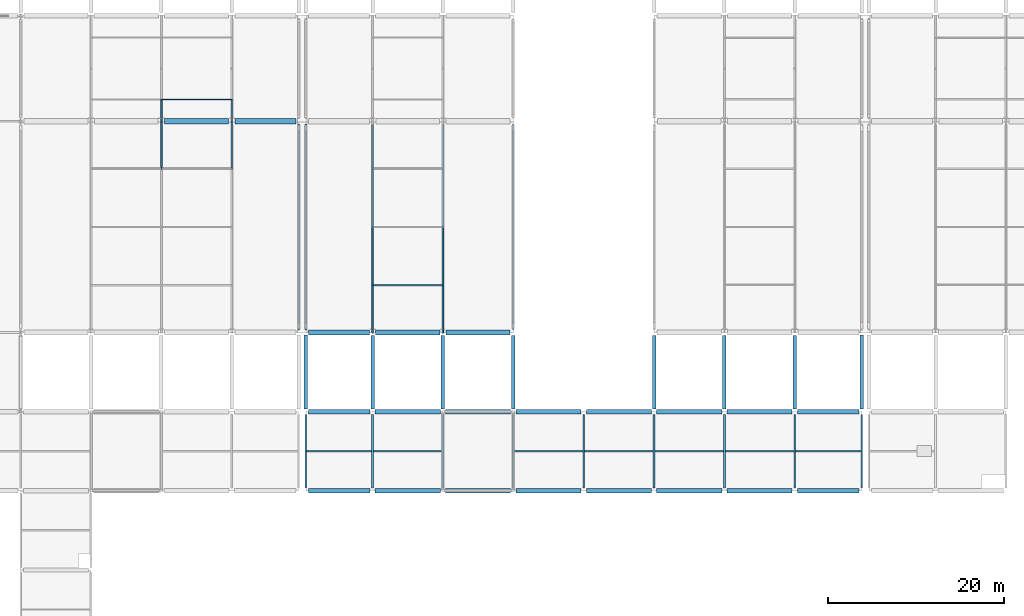
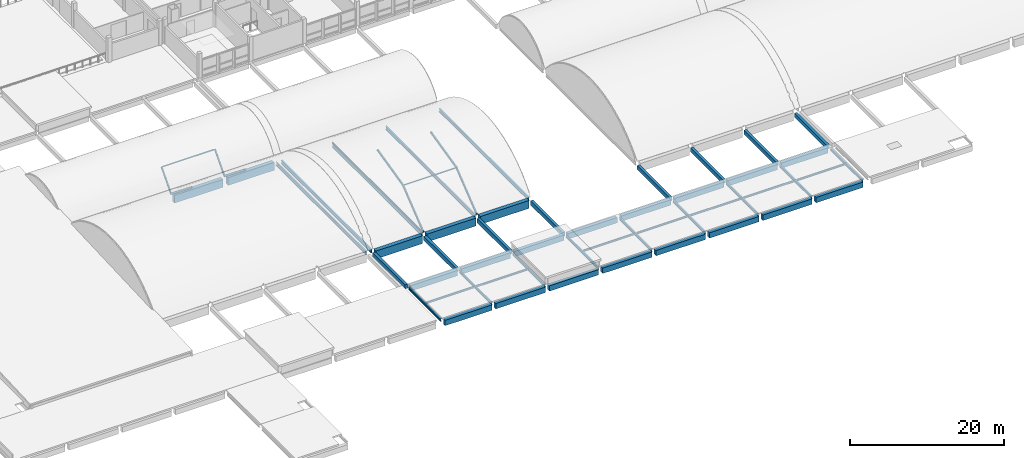
# One storey, part 8 of 57: 50 beams, 11 members.
"""IFC4 building model written with IfcOpenShell, lengths in metres."""

from ifc_helpers import new_model, si_unit, direction, frame, origin, origin_2d, place, context, subcontext, project, spatial, rectangle, hollow_rectangle, hollow_circle, i_section, extrude, material, material_profile, profile_set, type_object, element, save


model = new_model("IFC4")

# Units and contexts
model_context = context("Model", 3, precision=1e-05, world=origin(), true_north=direction((0.0, 1.0)))
body_context = subcontext(model_context, "Body", "Model", "MODEL_VIEW")
ifc_project = project(units=[si_unit("LENGTHUNIT", "METRE"), si_unit("AREAUNIT", "SQUARE_METRE"), si_unit("VOLUMEUNIT", "CUBIC_METRE"), si_unit("PLANEANGLEUNIT", "RADIAN"), si_unit("MASSUNIT", "GRAM", prefix="KILO"), si_unit("THERMODYNAMICTEMPERATUREUNIT", "KELVIN"), si_unit("POWERUNIT", "WATT")], contexts=[model_context])

# Site, building, storey
site_placement = place(None, origin())
site = spatial("IfcSite", under=ifc_project, at=site_placement, CompositionType="ELEMENT")
building_placement = place(site_placement, origin())
building = spatial("IfcBuilding", under=site, at=building_placement, Name="Kronsvod Quay Wholesale Market", CompositionType="ELEMENT")
storey_placement = place(building_placement, frame((0.0, 0.0, 13.199951171875)))
storey = spatial("IfcBuildingStorey", under=building, at=storey_placement, Name="L03", CompositionType="ELEMENT", Elevation=13.199951171875)

# Beams
ifc_material_1 = material(Name="Precast concrete C40/50", Category="concrete")
ifc_material_profile_1 = material_profile(ifc_material_1, rectangle(XDim=0.39990234375, YDim=0.64990234375, at=origin_2d()), Name="PCB400x650")
ifc_profile_set_1 = profile_set([ifc_material_profile_1], Name="Precast concrete C40/50")
beam_type_1 = type_object("IfcBeamType", Name="Beam_PCB400x650", PredefinedType="BEAM", material=ifc_profile_set_1)
beam_1_placement = place(storey_placement, frame((64.39990234375, 45.300048828125, -0.635009765625), z_axis=(0.0, 1.0, 0.0), x_axis=(-1.0, 0.0, 0.0)))
element("IfcBeam", 1, at=beam_1_placement, inside=storey, type_object=beam_type_1, Name="BMY-L03-644-450", PredefinedType="BEAM", context=body_context, shape_type="SweptSolid", body=[
    extrude(rectangle(XDim=0.39990234375, YDim=0.64990234375, at=origin_2d()), origin(), (0.0, 0.0, 1.0), 8.39990234375),
])
for number, where, z_axis, x_axis, name in (
    (2, (72.0, 45.300048828125, -0.635009765625), (0.0, 1.0, 0.0), (-1.0, 0.0, 0.0), "BMY-L03-720-450"),
    (3, (80.0, 45.300048828125, -0.635009765625), (0.0, 1.0, 0.0), (-1.0, 0.0, 0.0), "BMY-L03-800-450"),
    (4, (88.0, 45.300048828125, -0.635009765625), (0.0, 1.0, 0.0), (-1.0, 0.0, 0.0), "BMY-L03-880-450"),
    (5, (104.0, 45.300048828125, -0.635009765625), (0.0, 1.0, 0.0), (-1.0, 0.0, 0.0), "BMY-L03-1040-450"),
    (6, (112.0, 45.300048828125, -0.635009765625), (0.0, 1.0, 0.0), (-1.0, 0.0, 0.0), "BMY-L03-1120-450"),
    (7, (120.0, 45.300048828125, -0.635009765625), (0.0, 1.0, 0.0), (-1.0, 0.0, 0.0), "BMY-L03-1200-450"),
):
    element("IfcBeam", number, at=place(storey_placement, frame(where, z_axis=z_axis, x_axis=x_axis)), inside=storey, type_object=beam_type_1, Name=name, PredefinedType="BEAM", context=body_context, shape_type="SweptSolid", body=[
        extrude(rectangle(XDim=0.39990234375, YDim=0.64990234375, at=origin_2d()), origin(), (0.0, 0.0, 1.0), 8.349853515625),
    ])
beam_2_placement = place(storey_placement, frame((127.60009765625, 45.300048828125, -0.635009765625), z_axis=(0.0, 1.0, 0.0), x_axis=(-1.0, 0.0, 0.0)))
element("IfcBeam", 8, at=beam_2_placement, inside=storey, type_object=beam_type_1, Name="BMY-L03-1276-450", PredefinedType="BEAM", context=body_context, shape_type="SweptSolid", body=[
    extrude(rectangle(XDim=0.39990234375, YDim=0.64990234375, at=origin_2d()), origin(), (0.0, 0.0, 1.0), 8.39990234375),
])
ifc_material_2 = material(Name="Steel S355", Category="steel")
ifc_material_profile_2 = material_profile(ifc_material_2, i_section(OverallWidth=0.199951171875, OverallDepth=0.39990234375, WebThickness=0.008056640625, FlangeThickness=0.012939453125, FilletRadius=0.01611328125, at=origin_2d()), Name="40B2")
ifc_profile_set_2 = profile_set([ifc_material_profile_2], Name="Steel S355")
beam_type_2 = type_object("IfcBeamType", Name="Beam_Steel40B2", PredefinedType="BEAM", material=ifc_profile_set_2)
for number, where, z_axis, x_axis, name in (
    (9, (64.39990234375, 36.300048828125, -0.510009765625), (0.0, 1.0, 0.0), (-1.0, 0.0, 0.0), "BMY-L03-644-360"),
    (10, (72.0, 36.300048828125, -0.510009765625), (0.0, 1.0, 0.0), (-1.0, 0.0, 0.0), "BMY-L03-720-360"),
    (11, (80.0, 36.300048828125, -0.510009765625), (0.0, 1.0, 0.0), (-1.0, 0.0, 0.0), "BMY-L03-800-360"),
    (12, (88.0, 36.300048828125, -0.510009765625), (0.0, 1.0, 0.0), (-1.0, 0.0, 0.0), "BMY-L03-880-360"),
    (13, (96.0, 36.300048828125, -0.510009765625), (0.0, 1.0, 0.0), (-1.0, 0.0, 0.0), "BMY-L03-960-360"),
    (14, (104.0, 36.300048828125, -0.510009765625), (0.0, 1.0, 0.0), (-1.0, 0.0, 0.0), "BMY-L03-1040-360"),
    (15, (112.0, 36.300048828125, -0.510009765625), (0.0, 1.0, 0.0), (-1.0, 0.0, 0.0), "BMY-L03-1120-360"),
    (16, (120.0, 36.300048828125, -0.510009765625), (0.0, 1.0, 0.0), (-1.0, 0.0, 0.0), "BMY-L03-1200-360"),
    (17, (127.60009765625, 36.300048828125, -0.510009765625), (0.0, 1.0, 0.0), (-1.0, 0.0, 0.0), "BMY-L03-1276-360"),
):
    element("IfcBeam", number, at=place(storey_placement, frame(where, z_axis=z_axis, x_axis=x_axis)), inside=storey, type_object=beam_type_2, Name=name, PredefinedType="BEAM", context=body_context, shape_type="SweptSolid", body=[
        extrude(i_section(OverallWidth=0.199951171875, OverallDepth=0.39990234375, WebThickness=0.008056640625, FlangeThickness=0.012939453125, FilletRadius=0.01611328125, at=origin_2d()), origin(), (0.0, 0.0, 1.0), 8.39990234375),
    ])
ifc_material_3 = material(Name="Precast concrete C40/50", Category="concrete")
ifc_material_profile_3 = material_profile(ifc_material_3, rectangle(XDim=0.5, YDim=0.85009765625, at=origin_2d()), Name="PCB500x850")
ifc_profile_set_3 = profile_set([ifc_material_profile_3], Name="Precast concrete C40/50")
beam_type_3 = type_object("IfcBeamType", Name="Girder_PCB500x850", PredefinedType="T_BEAM", material=ifc_profile_set_3)
beam_3_placement = place(storey_placement, frame((64.699951171875, 36.0, -0.73486328125), z_axis=(1.0, 0.0, 0.0), x_axis=(0.0, 1.0, 0.0)))
element("IfcBeam", 18, at=beam_3_placement, inside=storey, type_object=beam_type_3, Name="BMX-L03-644-360", PredefinedType="T_BEAM", context=body_context, shape_type="SweptSolid", body=[
    extrude(rectangle(XDim=0.5, YDim=0.85009765625, at=origin_2d()), origin(), (0.0, 0.0, 1.0), 7.0),
])
for number, where, z_axis, x_axis, name in (
    (19, (72.300048828125, 36.0, -0.73486328125), (1.0, 0.0, 0.0), (0.0, 1.0, 0.0), "BMX-L03-720-360"),
    (20, (80.300048828125, 36.0, -0.73486328125), (1.0, 0.0, 0.0), (0.0, 1.0, 0.0), "BMX-L03-800-360"),
    (21, (88.300048828125, 36.0, -0.73486328125), (1.0, 0.0, 0.0), (0.0, 1.0, 0.0), "BMX-L03-880-360"),
    (22, (96.300048828125, 36.0, -0.73486328125), (1.0, 0.0, 0.0), (0.0, 1.0, 0.0), "BMX-L03-960-360"),
    (23, (104.300048828125, 36.0, -0.73486328125), (1.0, 0.0, 0.0), (0.0, 1.0, 0.0), "BMX-L03-1040-360"),
    (24, (112.300048828125, 36.0, -0.73486328125), (1.0, 0.0, 0.0), (0.0, 1.0, 0.0), "BMX-L03-1120-360"),
):
    element("IfcBeam", number, at=place(storey_placement, frame(where, z_axis=z_axis, x_axis=x_axis)), inside=storey, type_object=beam_type_3, Name=name, PredefinedType="T_BEAM", context=body_context, shape_type="SweptSolid", body=[
        extrude(rectangle(XDim=0.5, YDim=0.85009765625, at=origin_2d()), origin(), (0.0, 0.0, 1.0), 7.39990234375),
    ])
for number, where, z_axis, x_axis, name in (
    (25, (120.300048828125, 36.0, -0.73486328125), (1.0, 0.0, 0.0), (0.0, 1.0, 0.0), "BMX-L03-1200-360"),
    (26, (64.699951171875, 45.0, -0.73486328125), (1.0, 0.0, 0.0), (0.0, 1.0, 0.0), "BMX-L03-644-450"),
):
    element("IfcBeam", number, at=place(storey_placement, frame(where, z_axis=z_axis, x_axis=x_axis)), inside=storey, type_object=beam_type_3, Name=name, PredefinedType="T_BEAM", context=body_context, shape_type="SweptSolid", body=[
        extrude(rectangle(XDim=0.5, YDim=0.85009765625, at=origin_2d()), origin(), (0.0, 0.0, 1.0), 7.0),
    ])
for number, where, z_axis, x_axis, name in (
    (27, (72.300048828125, 45.0, -0.73486328125), (1.0, 0.0, 0.0), (0.0, 1.0, 0.0), "BMX-L03-720-450"),
    (28, (80.300048828125, 45.0, -0.73486328125), (1.0, 0.0, 0.0), (0.0, 1.0, 0.0), "BMX-L03-800-450"),
    (29, (88.300048828125, 45.0, -0.73486328125), (1.0, 0.0, 0.0), (0.0, 1.0, 0.0), "BMX-L03-880-450"),
    (30, (96.300048828125, 45.0, -0.73486328125), (1.0, 0.0, 0.0), (0.0, 1.0, 0.0), "BMX-L03-960-450"),
    (31, (104.300048828125, 45.0, -0.73486328125), (1.0, 0.0, 0.0), (0.0, 1.0, 0.0), "BMX-L03-1040-450"),
    (32, (112.300048828125, 45.0, -0.73486328125), (1.0, 0.0, 0.0), (0.0, 1.0, 0.0), "BMX-L03-1120-450"),
):
    element("IfcBeam", number, at=place(storey_placement, frame(where, z_axis=z_axis, x_axis=x_axis)), inside=storey, type_object=beam_type_3, Name=name, PredefinedType="T_BEAM", context=body_context, shape_type="SweptSolid", body=[
        extrude(rectangle(XDim=0.5, YDim=0.85009765625, at=origin_2d()), origin(), (0.0, 0.0, 1.0), 7.39990234375),
    ])
beam_4_placement = place(storey_placement, frame((120.300048828125, 45.0, -0.73486328125), z_axis=(1.0, 0.0, 0.0), x_axis=(0.0, 1.0, 0.0)))
element("IfcBeam", 33, at=beam_4_placement, inside=storey, type_object=beam_type_3, Name="BMX-L03-1200-450", PredefinedType="T_BEAM", context=body_context, shape_type="SweptSolid", body=[
    extrude(rectangle(XDim=0.5, YDim=0.85009765625, at=origin_2d()), origin(), (0.0, 0.0, 1.0), 7.0),
])
ifc_material_4 = material(Name="Precast concrete C40/50", Category="concrete")
ifc_material_profile_4 = material_profile(ifc_material_4, rectangle(XDim=0.60009765625, YDim=1.25, at=origin_2d()), Name="PCVG600x1250")
ifc_profile_set_4 = profile_set([ifc_material_profile_4], Name="Precast concrete C40/50")
beam_type_4 = type_object("IfcBeamType", Name="Girder_PCVG600x1250", PredefinedType="T_BEAM", material=ifc_profile_set_4)
beam_5_placement = place(storey_placement, frame((48.375, 78.0, -0.844970703125), z_axis=(1.0, 0.0, 0.0), x_axis=(0.0, 1.0, 0.0)))
element("IfcBeam", 34, at=beam_5_placement, inside=storey, type_object=beam_type_4, Name="BMX-L03-480-780", PredefinedType="T_BEAM", context=body_context, shape_type="SweptSolid", body=[
    extrude(rectangle(XDim=0.60009765625, YDim=1.25, at=origin_2d()), origin(), (0.0, 0.0, 1.0), 7.25),
])
beam_6_placement = place(storey_placement, frame((56.375, 78.0, -0.844970703125), z_axis=(1.0, 0.0, 0.0), x_axis=(0.0, 1.0, 0.0)))
element("IfcBeam", 35, at=beam_6_placement, inside=storey, type_object=beam_type_4, Name="BMX-L03-560-780", PredefinedType="T_BEAM", context=body_context, shape_type="SweptSolid", body=[
    extrude(rectangle(XDim=0.60009765625, YDim=1.25, at=origin_2d()), origin(), (0.0, 0.0, 1.0), 6.925048828125),
])
beam_7_placement = place(storey_placement, frame((64.699951171875, 54.0, -0.844970703125), z_axis=(1.0, 0.0, 0.0), x_axis=(0.0, 1.0, 0.0)))
element("IfcBeam", 36, at=beam_7_placement, inside=storey, type_object=beam_type_4, Name="BMX-L03-644-540", PredefinedType="T_BEAM", context=body_context, shape_type="SweptSolid", body=[
    extrude(rectangle(XDim=0.60009765625, YDim=1.25, at=origin_2d()), origin(), (0.0, 0.0, 1.0), 6.949951171875),
])
for number, where, z_axis, x_axis, name in (
    (37, (72.35009765625, 54.0, -0.844970703125), (1.0, 0.0, 0.0), (0.0, 1.0, 0.0), "BMX-L03-720-540"),
    (38, (80.35009765625, 54.0, -0.844970703125), (1.0, 0.0, 0.0), (0.0, 1.0, 0.0), "BMX-L03-800-540"),
):
    element("IfcBeam", number, at=place(storey_placement, frame(where, z_axis=z_axis, x_axis=x_axis)), inside=storey, type_object=beam_type_4, Name=name, PredefinedType="T_BEAM", context=body_context, shape_type="SweptSolid", body=[
        extrude(rectangle(XDim=0.60009765625, YDim=1.25, at=origin_2d()), origin(), (0.0, 0.0, 1.0), 7.2998046875),
    ])
ifc_material_5 = material(Name="Steel S355", Category="steel")
ifc_material_profile_5 = material_profile(ifc_material_5, i_section(OverallWidth=0.199951171875, OverallDepth=0.5458984375, WebThickness=0.009521484375, FlangeThickness=0.014892578125, FilletRadius=0.02197265625, at=origin_2d()), Name="55B1")
ifc_profile_set_5 = profile_set([ifc_material_profile_5], Name="Steel S355")
beam_type_5 = type_object("IfcBeamType", Name="Girder_Steel55B1", PredefinedType="T_BEAM", material=ifc_profile_set_5)
for number, where, z_axis, x_axis, name in (
    (39, (63.60009765625, 54.300048828125, -0.492919921875), (0.0, 1.0, 0.0), (-1.0, 0.0, 0.0), "BMY-L03-636-540"),
    (40, (64.39990234375, 54.300048828125, -0.492919921875), (0.0, 1.0, 0.0), (-1.0, 0.0, 0.0), "BMY-L03-644-540"),
):
    element("IfcBeam", number, at=place(storey_placement, frame(where, z_axis=z_axis, x_axis=x_axis)), inside=storey, type_object=beam_type_5, Name=name, PredefinedType="T_BEAM", context=body_context, shape_type="SweptSolid", body=[
        extrude(i_section(OverallWidth=0.199951171875, OverallDepth=0.5458984375, WebThickness=0.009521484375, FlangeThickness=0.014892578125, FilletRadius=0.02197265625, at=origin_2d()), origin(), (0.0, 0.0, 1.0), 23.39990234375),
    ])
for number, where, z_axis, x_axis, name in (
    (41, (72.0, 54.35009765625, -0.492919921875), (0.0, 1.0, 0.0), (-1.0, 0.0, 0.0), "BMY-L03-720-540"),
    (42, (80.0, 54.35009765625, -0.492919921875), (0.0, 1.0, 0.0), (-1.0, 0.0, 0.0), "BMY-L03-800-540"),
    (43, (88.0, 54.35009765625, -0.492919921875), (0.0, 1.0, 0.0), (-1.0, 0.0, 0.0), "BMY-L03-880-540"),
):
    element("IfcBeam", number, at=place(storey_placement, frame(where, z_axis=z_axis, x_axis=x_axis)), inside=storey, type_object=beam_type_5, Name=name, PredefinedType="T_BEAM", context=body_context, shape_type="SweptSolid", body=[
        extrude(i_section(OverallWidth=0.199951171875, OverallDepth=0.5458984375, WebThickness=0.009521484375, FlangeThickness=0.014892578125, FilletRadius=0.02197265625, at=origin_2d()), origin(), (0.0, 0.0, 1.0), 23.27490234375),
    ])
ifc_material_6 = material(Name="Steel S355", Category="steel")
ifc_material_profile_6 = material_profile(ifc_material_6, i_section(OverallWidth=0.14990234375, OverallDepth=0.300048828125, WebThickness=0.006591796875, FlangeThickness=0.009033203125, FilletRadius=0.012939453125, at=origin_2d()), Name="30B2")
ifc_profile_set_6 = profile_set([ifc_material_profile_6], Name="Steel S355")
beam_type_6 = type_object("IfcBeamType", Name="Joist_Steel30B2", PredefinedType="JOIST", material=ifc_profile_set_6)
beam_8_placement = place(storey_placement, frame((64.4951171875, 40.5, -0.369873046875), z_axis=(1.0, 0.0, 0.0), x_axis=(0.0, 1.0, 0.0)))
element("IfcBeam", 44, at=beam_8_placement, inside=storey, type_object=beam_type_6, Name="JSTX-L03-644-360", PredefinedType="JOIST", context=body_context, shape_type="SweptSolid", body=[
    extrude(i_section(OverallWidth=0.14990234375, OverallDepth=0.300048828125, WebThickness=0.006591796875, FlangeThickness=0.009033203125, FilletRadius=0.012939453125, at=origin_2d()), origin(), (0.0, 0.0, 1.0), 7.409912109375),
])
for number, where, z_axis, x_axis, name in (
    (45, (72.094970703125, 40.5, -0.369873046875), (1.0, 0.0, 0.0), (0.0, 1.0, 0.0), "JSTX-L03-720-360"),
    (46, (88.094970703125, 40.5, -0.369873046875), (1.0, 0.0, 0.0), (0.0, 1.0, 0.0), "JSTX-L03-880-360"),
    (47, (96.094970703125, 40.5, -0.369873046875), (1.0, 0.0, 0.0), (0.0, 1.0, 0.0), "JSTX-L03-960-360"),
    (48, (104.094970703125, 40.5, -0.369873046875), (1.0, 0.0, 0.0), (0.0, 1.0, 0.0), "JSTX-L03-1040-360"),
    (49, (112.094970703125, 40.5, -0.369873046875), (1.0, 0.0, 0.0), (0.0, 1.0, 0.0), "JSTX-L03-1120-360"),
):
    element("IfcBeam", number, at=place(storey_placement, frame(where, z_axis=z_axis, x_axis=x_axis)), inside=storey, type_object=beam_type_6, Name=name, PredefinedType="JOIST", context=body_context, shape_type="SweptSolid", body=[
        extrude(i_section(OverallWidth=0.14990234375, OverallDepth=0.300048828125, WebThickness=0.006591796875, FlangeThickness=0.009033203125, FilletRadius=0.012939453125, at=origin_2d()), origin(), (0.0, 0.0, 1.0), 7.81005859375),
    ])
beam_9_placement = place(storey_placement, frame((120.094970703125, 40.5, -0.369873046875), z_axis=(1.0, 0.0, 0.0), x_axis=(0.0, 1.0, 0.0)))
element("IfcBeam", 50, at=beam_9_placement, inside=storey, type_object=beam_type_6, Name="JSTX-L03-1200-360", PredefinedType="JOIST", context=body_context, shape_type="SweptSolid", body=[
    extrude(i_section(OverallWidth=0.14990234375, OverallDepth=0.300048828125, WebThickness=0.006591796875, FlangeThickness=0.009033203125, FilletRadius=0.012939453125, at=origin_2d()), origin(), (0.0, 0.0, 1.0), 7.409912109375),
])

# Members
ifc_material_7 = material(Name="Steel S355", Category="steel")
ifc_material_profile_7 = material_profile(ifc_material_7, hollow_rectangle(XDim=0.199951171875, YDim=0.199951171875, WallThickness=0.010009765625, InnerFilletRadius=0.010009765625, OuterFilletRadius=0.02001953125, at=origin_2d()), Name="RHS200x200x10")
ifc_profile_set_7 = profile_set([ifc_material_profile_7], Name="Steel S355")
member_type_1 = type_object("IfcMemberType", Name="Member_Arch200x200", PredefinedType="RAFTER", material=ifc_profile_set_7)
for number, where, z_axis, x_axis, name in (
    (51, (48.0, 78.0, -0.010009765625), (0.0, 0.66547990509, 0.746415766126), (-1.0, 0.0, 0.0), "ARCG-SH-V1W-N-480-0"),
    (52, (56.0, 78.0, -0.010009765625), (0.0, 0.66547990509, 0.746415766126), (-1.0, 0.0, 0.0), "ARCG-SH-V1W-N-560-0"),
):
    element("IfcMember", number, at=place(storey_placement, frame(where, z_axis=z_axis, x_axis=x_axis)), inside=storey, type_object=member_type_1, Name=name, PredefinedType="RAFTER", context=body_context, shape_type="SweptSolid", body=[
        extrude(hollow_rectangle(XDim=0.199951171875, YDim=0.199951171875, WallThickness=0.010009765625, InnerFilletRadius=0.010009765625, OuterFilletRadius=0.02001953125, at=origin_2d()), origin(), (0.0, 0.0, 1.0), 3.7314453125),
    ])
ifc_material_8 = material(Name="Steel S355", Category="steel")
ifc_material_profile_8 = material_profile(ifc_material_8, hollow_rectangle(XDim=0.199951171875, YDim=0.300048828125, WallThickness=0.011962890625, InnerFilletRadius=0.011962890625, OuterFilletRadius=0.02392578125, at=origin_2d()), Name="RHS300x200x12")
ifc_profile_set_8 = profile_set([ifc_material_profile_8], Name="Steel S355")
member_type_2 = type_object("IfcMemberType", Name="Member_Arch300x200", PredefinedType="RAFTER", material=ifc_profile_set_8)
for number, where, z_axis, x_axis, name in (
    (53, (48.0, 72.63671875, 4.2734375), (0.0, 0.781378659876, -0.624057200816), (-1.0, 0.0, 0.0), "ARCG-SH-V1W-M-480-3"),
    (54, (56.0, 72.63671875, 4.2734375), (0.0, 0.781378659876, -0.624057200816), (-1.0, 0.0, 0.0), "ARCG-SH-V1W-M-560-3"),
    (55, (72.0, 54.0, -0.010009765625), (0.0, 0.781378659876, 0.624057200816), (-1.0, 0.0, 0.0), "ARCG-SH-V1C-M-720-0"),
):
    element("IfcMember", number, at=place(storey_placement, frame(where, z_axis=z_axis, x_axis=x_axis)), inside=storey, type_object=member_type_2, Name=name, PredefinedType="RAFTER", context=body_context, shape_type="SweptSolid", body=[
        extrude(hollow_rectangle(XDim=0.199951171875, YDim=0.300048828125, WallThickness=0.011962890625, InnerFilletRadius=0.011962890625, OuterFilletRadius=0.02392578125, at=origin_2d()), origin(), (0.0, 0.0, 1.0), 6.86376953125),
    ])
member_1_placement = place(storey_placement, frame((72.0, 59.36328125, 4.2734375), z_axis=(0.0, 0.973251166163, 0.229743699723), x_axis=(-1.0, 0.0, 0.0)))
element("IfcMember", 56, at=member_1_placement, inside=storey, type_object=member_type_2, Name="ARCG-SH-V1C-M-720-1", PredefinedType="RAFTER", context=body_context, shape_type="SweptSolid", body=[
    extrude(hollow_rectangle(XDim=0.199951171875, YDim=0.300048828125, WallThickness=0.011962890625, InnerFilletRadius=0.011962890625, OuterFilletRadius=0.02392578125, at=origin_2d()), origin(), (0.0, 0.0, 1.0), 6.819091796875),
])
member_2_placement = place(storey_placement, frame((80.0, 54.0, -0.010009765625), z_axis=(0.0, 0.781378659876, 0.624057200816), x_axis=(-1.0, 0.0, 0.0)))
element("IfcMember", 57, at=member_2_placement, inside=storey, type_object=member_type_2, Name="ARCG-SH-V1C-M-800-0", PredefinedType="RAFTER", context=body_context, shape_type="SweptSolid", body=[
    extrude(hollow_rectangle(XDim=0.199951171875, YDim=0.300048828125, WallThickness=0.011962890625, InnerFilletRadius=0.011962890625, OuterFilletRadius=0.02392578125, at=origin_2d()), origin(), (0.0, 0.0, 1.0), 6.86376953125),
])
member_3_placement = place(storey_placement, frame((80.0, 59.36328125, 4.2734375), z_axis=(0.0, 0.973251166163, 0.229743699723), x_axis=(-1.0, 0.0, 0.0)))
element("IfcMember", 58, at=member_3_placement, inside=storey, type_object=member_type_2, Name="ARCG-SH-V1C-M-800-1", PredefinedType="RAFTER", context=body_context, shape_type="SweptSolid", body=[
    extrude(hollow_rectangle(XDim=0.199951171875, YDim=0.300048828125, WallThickness=0.011962890625, InnerFilletRadius=0.011962890625, OuterFilletRadius=0.02392578125, at=origin_2d()), origin(), (0.0, 0.0, 1.0), 6.819091796875),
])
ifc_material_9 = material(Name="Steel S355", Category="steel")
ifc_material_profile_9 = material_profile(ifc_material_9, hollow_circle(Radius=0.109619140625, WallThickness=0.010009765625, at=origin_2d()), Name="CHS219x10")
ifc_profile_set_9 = profile_set([ifc_material_profile_9], Name="Steel S355")
member_type_3 = type_object("IfcMemberType", Name="Member_Chord219x10", PredefinedType="CHORD", material=ifc_profile_set_9)
member_4_placement = place(storey_placement, frame((72.0, 54.340087890625, -0.079833984375), z_axis=(0.0, 1.0, 0.0), x_axis=(-1.0, 0.0, 0.0)))
element("IfcMember", 59, at=member_4_placement, inside=storey, type_object=member_type_3, Name="CHDG-SH-V1C-M-720", PredefinedType="CHORD", context=body_context, shape_type="SweptSolid", body=[
    extrude(hollow_circle(Radius=0.109619140625, WallThickness=0.010009765625, at=origin_2d()), origin(), (0.0, 0.0, 1.0), 23.31982421875),
])
ifc_material_10 = material(Name="Steel S355", Category="steel")
ifc_material_profile_10 = material_profile(ifc_material_10, hollow_rectangle(XDim=0.10009765625, YDim=0.179931640625, WallThickness=0.008056640625, InnerFilletRadius=0.008056640625, OuterFilletRadius=0.01611328125, at=origin_2d()), Name="RHS180x100x8")
ifc_profile_set_10 = profile_set([ifc_material_profile_10], Name="Steel S355")
member_type_4 = type_object("IfcMemberType", Name="Member_Purlin180x100", PredefinedType="PURLIN", material=ifc_profile_set_10)
for number, where, z_axis, x_axis, name in (
    (60, (48.080078125, 80.483154296875, 2.71533203125), (1.0, 0.0, 0.0), (0.0, 1.0, 0.0), "PRLG-SH-V1W-N-1-0"),
    (61, (72.080078125, 59.36328125, 4.21337890625), (1.0, 0.0, 0.0), (0.0, 1.0, 0.0), "PRLG-SH-V1C-M-0-0"),
):
    element("IfcMember", number, at=place(storey_placement, frame(where, z_axis=z_axis, x_axis=x_axis)), inside=storey, type_object=member_type_4, Name=name, PredefinedType="PURLIN", context=body_context, shape_type="SweptSolid", body=[
        extrude(hollow_rectangle(XDim=0.10009765625, YDim=0.179931640625, WallThickness=0.008056640625, InnerFilletRadius=0.008056640625, OuterFilletRadius=0.01611328125, at=origin_2d()), origin(), (0.0, 0.0, 1.0), 7.83984375),
    ])

save(model, "model.ifc")
